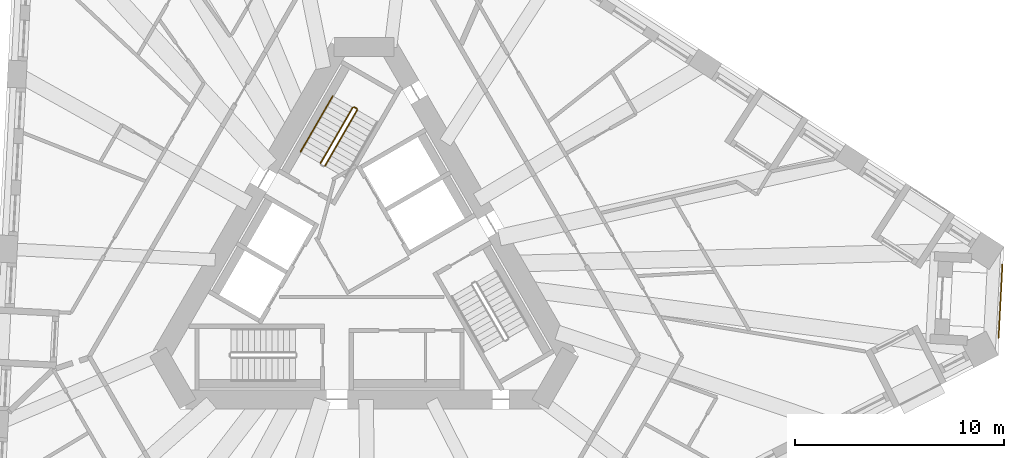
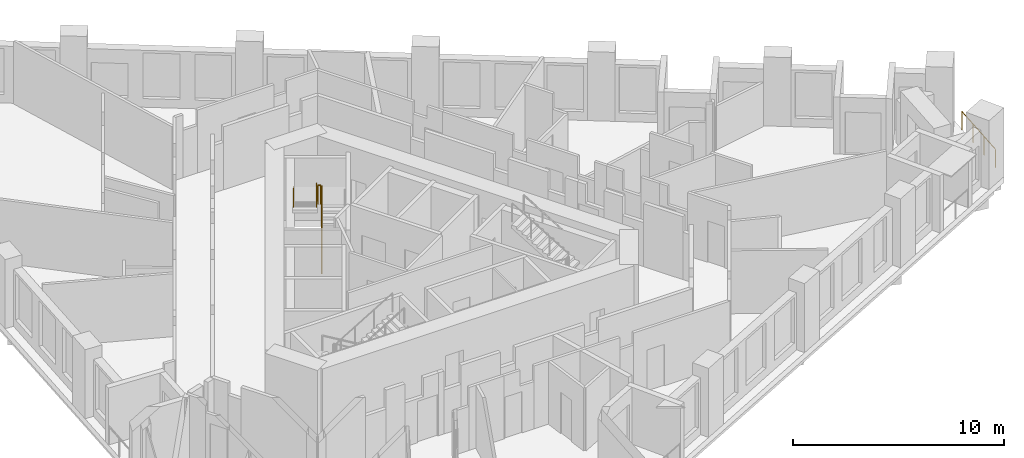
# One storey, part 12 of 13: 5 railings.
"""IFC4 building model written with IfcOpenShell, lengths in metres."""

from ifc_helpers import new_model, si_unit, direction, frame, origin, origin_2d, place, context, subcontext, project, spatial, circle, extrude, material, type_object, element, save


model = new_model("IFC4")

# Units and contexts
model_context = context("Model", 3, precision=1e-05, world=origin(), true_north=direction((0.0, 1.0)))
body_context = subcontext(model_context, "Body", "Model", "MODEL_VIEW")
ifc_project = project(units=[si_unit("LENGTHUNIT", "METRE"), si_unit("AREAUNIT", "SQUARE_METRE"), si_unit("VOLUMEUNIT", "CUBIC_METRE"), si_unit("PLANEANGLEUNIT", "RADIAN"), si_unit("MASSUNIT", "GRAM", prefix="KILO")], contexts=[model_context])

# Site, building, storey
site_placement = place(None, origin())
site = spatial("IfcSite", under=ifc_project, at=site_placement, CompositionType="ELEMENT")
building_placement = place(site_placement, origin())
building = spatial("IfcBuilding", under=site, at=building_placement, Name="Tramontana Tower", CompositionType="ELEMENT")
storey_placement = place(building_placement, frame((0.0, 0.0, 137.60009765625)))
storey = spatial("IfcBuildingStorey", under=building, at=storey_placement, Name="L31", CompositionType="ELEMENT", Elevation=137.60009765625)

# Railings
ifc_material_1 = material(Name="Laminated glass balustrade", Category="glass")
railing_type_1 = type_object("IfcRailingType", Name="GD1 Loggia glass balustrade 1100", PredefinedType="BALUSTRADE", material=ifc_material_1)
railing_1_placement = place(storey_placement, frame((30.519775390625, 0.15283203125, 0.0)))
element("IfcRailing", 1, at=railing_1_placement, inside=storey, type_object=railing_type_1, Name="Corner loggia balustrade L31 K32", PredefinedType="BALUSTRADE", context=body_context, shape_type="SweptSolid", body=[
    extrude(circle(Radius=0.02392578125, at=origin_2d()), frame((0.0, 0.0, 1.076171875), z_axis=(-0.052317189757, -0.998630518088, 0.0), x_axis=(0.998630518088, -0.052317189757, 0.0)), (0.0, 0.0, 1.0), 3.5),
    extrude(circle(Radius=0.02099609375, at=origin_2d()), origin(), (0.0, 0.0, 1.0), 1.052001953125),
    extrude(circle(Radius=0.02099609375, at=origin_2d()), frame((-0.06103515625, -1.1650390625, 0.0)), (0.0, 0.0, 1.0), 1.052001953125),
    extrude(circle(Radius=0.02099609375, at=origin_2d()), frame((-0.1220703125, -2.330078125, 0.0)), (0.0, 0.0, 1.0), 1.052001953125),
    extrude(circle(Radius=0.02099609375, at=origin_2d()), frame((-0.18310546875, -3.4951171875, 0.0)), (0.0, 0.0, 1.0), 1.052001953125),
])
ifc_material_2 = material(Name="Painted steel", Category="steel")
railing_type_2 = type_object("IfcRailingType", Name="STAIR GUARD 1100", PredefinedType="GUARDRAIL", material=ifc_material_2)
railing_2_placement = place(storey_placement, frame((-1.867431640625, 4.865478515625, 0.16650390625)))
element("IfcRailing", 2, at=railing_2_placement, inside=storey, type_object=railing_type_2, Name="L31 ST1 stair guard 1", PredefinedType="GUARDRAIL", context=body_context, shape_type="SweptSolid", body=[
    extrude(circle(Radius=0.02392578125, at=origin_2d()), frame((0.0, 0.0, 1.076171875), z_axis=(0.429634447492, 0.7441639146, 0.511502013422), x_axis=(-0.866029832698, 0.499992328818, 0.0)), (0.0, 0.0, 1.0), 3.58447265625),
    extrude(circle(Radius=0.02099609375, at=origin_2d()), origin(), (0.0, 0.0, 1.0), 1.052001953125),
    extrude(circle(Radius=0.02099609375, at=origin_2d()), frame((0.513427734375, 0.88916015625, 0.611083984375)), (0.0, 0.0, 1.0), 1.052001953125),
    extrude(circle(Radius=0.02099609375, at=origin_2d()), frame((1.026611328125, 1.7783203125, 1.222412109375)), (0.0, 0.0, 1.0), 1.052001953125),
    extrude(circle(Radius=0.02099609375, at=origin_2d()), frame((1.5400390625, 2.66748046875, 1.83349609375)), (0.0, 0.0, 1.0), 1.052001953125),
])
railing_3_placement = place(storey_placement, frame((-0.5439453125, 7.657958984375, 2.16650390625)))
element("IfcRailing", 3, at=railing_3_placement, inside=storey, type_object=railing_type_2, Name="L31 ST1 stair guard 2", PredefinedType="GUARDRAIL", context=body_context, shape_type="SweptSolid", body=[
    extrude(circle(Radius=0.02392578125, at=origin_2d()), frame((0.0, 0.0, 1.076171875), z_axis=(-0.429634447492, -0.7441639146, 0.511502013422), x_axis=(0.866029832698, -0.499992328818, 0.0)), (0.0, 0.0, 1.0), 3.58447265625),
    extrude(circle(Radius=0.02099609375, at=origin_2d()), origin(), (0.0, 0.0, 1.0), 1.052001953125),
    extrude(circle(Radius=0.02099609375, at=origin_2d()), frame((-0.513427734375, -0.88916015625, 0.611083984375)), (0.0, 0.0, 1.0), 1.052001953125),
    extrude(circle(Radius=0.02099609375, at=origin_2d()), frame((-1.026611328125, -1.7783203125, 1.222412109375)), (0.0, 0.0, 1.0), 1.052001953125),
    extrude(circle(Radius=0.02099609375, at=origin_2d()), frame((-1.5400390625, -2.66748046875, 1.83349609375)), (0.0, 0.0, 1.0), 1.052001953125),
])
railing_4_placement = place(storey_placement, frame((-0.345703125, 7.601318359375, 2.0)))
element("IfcRailing", 4, at=railing_4_placement, inside=storey, type_object=railing_type_2, Name="L31 ST1 stair guard 3", PredefinedType="GUARDRAIL", context=body_context, shape_type="SweptSolid", body=[
    extrude(circle(Radius=0.02392578125, at=origin_2d()), frame((0.0, 0.0, 1.076171875), z_axis=(-0.866131372301, 0.499816412211, 0.0), x_axis=(-0.499816412211, -0.866131372301, 0.0)), (0.0, 0.0, 1.0), 0.14990234375),
    extrude(circle(Radius=0.02099609375, at=origin_2d()), origin(), (0.0, 0.0, 1.0), 1.052001953125),
    extrude(circle(Radius=0.02099609375, at=origin_2d()), frame((-0.1298828125, 0.074951171875, 0.0)), (0.0, 0.0, 1.0), 1.052001953125),
])
ifc_material_3 = material(Name="Painted steel", Category="steel")
railing_type_3 = type_object("IfcRailingType", Name="STAIR HANDRAIL 900", PredefinedType="HANDRAIL", material=ifc_material_3)
railing_5_placement = place(storey_placement, frame((-1.49658203125, 8.2080078125, 2.16650390625)))
element("IfcRailing", 5, at=railing_5_placement, inside=storey, type_object=railing_type_3, Name="L31 ST1 stair handrail 2", PredefinedType="HANDRAIL", context=body_context, shape_type="SweptSolid", body=[
    extrude(circle(Radius=0.02392578125, at=origin_2d()), frame((0.0, 0.0, 0.8759765625), z_axis=(-0.429634447492, -0.7441639146, 0.511502013422), x_axis=(0.866029832698, -0.499992328818, 0.0)), (0.0, 0.0, 1.0), 3.58447265625),
    extrude(circle(Radius=0.02099609375, at=origin_2d()), origin(), (0.0, 0.0, 1.0), 0.851806640625),
    extrude(circle(Radius=0.02099609375, at=origin_2d()), frame((-0.513427734375, -0.88916015625, 0.611083984375)), (0.0, 0.0, 1.0), 0.851806640625),
    extrude(circle(Radius=0.02099609375, at=origin_2d()), frame((-1.026611328125, -1.7783203125, 1.222412109375)), (0.0, 0.0, 1.0), 0.851806640625),
    extrude(circle(Radius=0.02099609375, at=origin_2d()), frame((-1.5400390625, -2.66748046875, 1.83349609375)), (0.0, 0.0, 1.0), 0.851806640625),
])

save(model, "model.ifc")
